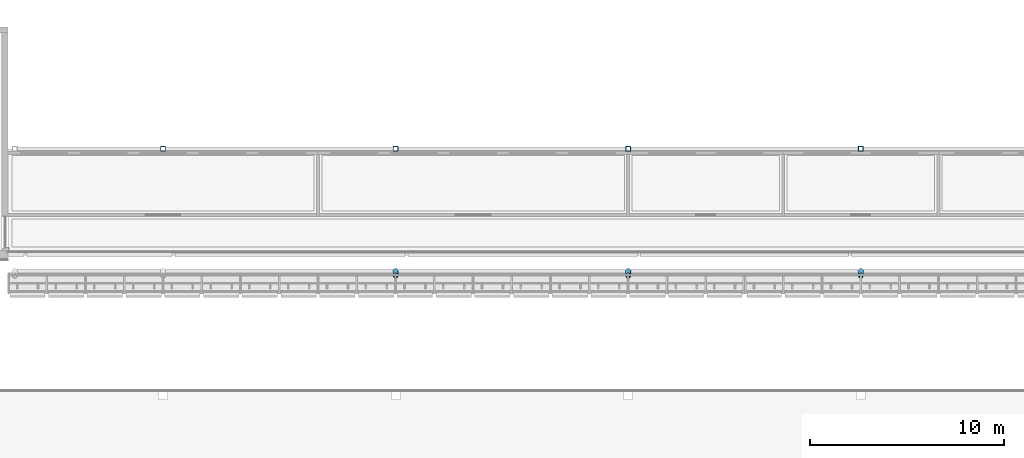
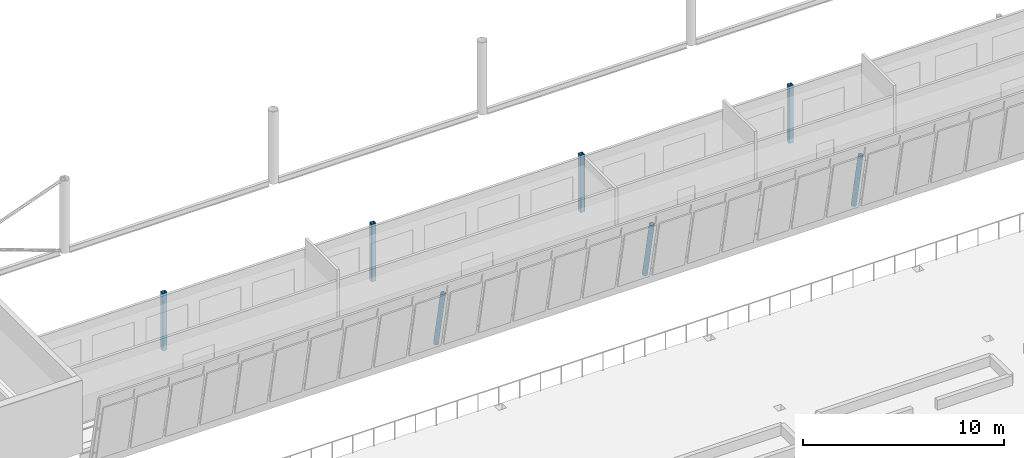
# One storey, part 2 of 95: 7 columns.
"""IFC4 building model written with IfcOpenShell, lengths in metres."""

from ifc_helpers import new_model, si_unit, direction, frame, origin, origin_2d, place, context, subcontext, project, spatial, hollow_rectangle, hollow_circle, extrude, material, material_profile, profile_set, type_object, element, save


model = new_model("IFC4")

# Units and contexts
model_context = context("Model", 3, precision=1e-05, world=origin(), true_north=direction((0.0, 1.0)))
body_context = subcontext(model_context, "Body", "Model", "MODEL_VIEW")
ifc_project = project(units=[si_unit("LENGTHUNIT", "METRE"), si_unit("AREAUNIT", "SQUARE_METRE"), si_unit("VOLUMEUNIT", "CUBIC_METRE"), si_unit("PLANEANGLEUNIT", "RADIAN"), si_unit("MASSUNIT", "GRAM", prefix="KILO")], contexts=[model_context])

# Site, building, storey
site_placement = place(None, origin())
site = spatial("IfcSite", under=ifc_project, at=site_placement, CompositionType="ELEMENT")
building_placement = place(site_placement, origin())
building = spatial("IfcBuilding", under=site, at=building_placement, Name="Windward Yard Aquatics Centre", CompositionType="ELEMENT")
storey_placement = place(building_placement, frame((0.0, 0.0, 9.39990234375)))
storey = spatial("IfcBuildingStorey", under=building, at=storey_placement, Name="L02", CompositionType="ELEMENT", Elevation=9.39990234375)

# Columns
ifc_material = material(Name="Steel ASTM A500 Gr C", Category="steel")
ifc_material_profile_1 = material_profile(ifc_material, hollow_rectangle(XDim=0.25390625, YDim=0.25390625, WallThickness=0.015869140625, InnerFilletRadius=0.008056640625, OuterFilletRadius=0.02392578125, at=origin_2d()), Name="HSS254X254X15.9")
ifc_profile_set_1 = profile_set([ifc_material_profile_1], Name="Steel ASTM A500 Gr C")
column_type_1 = type_object("IfcColumnType", Name="H inner column HSS254X254X15.9", PredefinedType="COLUMN", material=ifc_profile_set_1)
for number, where, z_axis, x_axis, name in (
    (1, (72.0, 31.709716796875, 0.0), (0.0, 0.0, 1.0), (1.0, 0.0, 0.0), "H.IC.S2.L02"),
    (2, (84.0, 31.709716796875, 0.0), (0.0, 0.0, 1.0), (1.0, 0.0, 0.0), "H.IC.S3.L02"),
    (3, (96.0, 31.709716796875, 0.0), (0.0, 0.0, 1.0), (1.0, 0.0, 0.0), "H.IC.S4.L02"),
    (4, (108.0, 31.709716796875, 0.0), (0.0, 0.0, 1.0), (1.0, 0.0, 0.0), "H.IC.S5.L02"),
):
    element("IfcColumn", number, at=place(storey_placement, frame(where, z_axis=z_axis, x_axis=x_axis)), inside=storey, type_object=column_type_1, Name=name, PredefinedType="COLUMN", context=body_context, shape_type="SweptSolid", body=[
        extrude(hollow_rectangle(XDim=0.25390625, YDim=0.25390625, WallThickness=0.015869140625, InnerFilletRadius=0.008056640625, OuterFilletRadius=0.02392578125, at=origin_2d()), origin(), (0.0, 0.0, 1.0), 3.49609375),
    ])
ifc_material_profile_2 = material_profile(ifc_material, hollow_circle(Radius=0.136474609375, WallThickness=0.0126953125, at=origin_2d()), Name="HSS273.1X12.7")
ifc_profile_set_2 = profile_set([ifc_material_profile_2], Name="Steel ASTM A500 Gr C")
column_type_2 = type_object("IfcColumnType", Name="H tier 1 leg HSS273.1X12.7", PredefinedType="COLUMN", material=ifc_profile_set_2)
for number, where, z_axis, x_axis, name in (
    (5, (84.0, 25.40478515625, 0.0), (0.0, -0.19937762145, 0.979922733722), (1.0, 0.0, 0.0), "H.TL.S3.T1B.L02"),
    (6, (96.0, 25.40478515625, 0.0), (0.0, -0.19937762145, 0.979922733722), (1.0, 0.0, 0.0), "H.TL.S4.T1B.L02"),
    (7, (108.0, 25.40478515625, 0.0), (0.0, -0.19937762145, 0.979922733722), (1.0, 0.0, 0.0), "H.TL.S5.T1B.L02"),
):
    element("IfcColumn", number, at=place(storey_placement, frame(where, z_axis=z_axis, x_axis=x_axis)), inside=storey, type_object=column_type_2, Name=name, PredefinedType="COLUMN", context=body_context, shape_type="SweptSolid", body=[
        extrude(hollow_circle(Radius=0.136474609375, WallThickness=0.0126953125, at=origin_2d()), origin(), (0.0, 0.0, 1.0), 3.5400390625),
    ])

save(model, "model.ifc")
